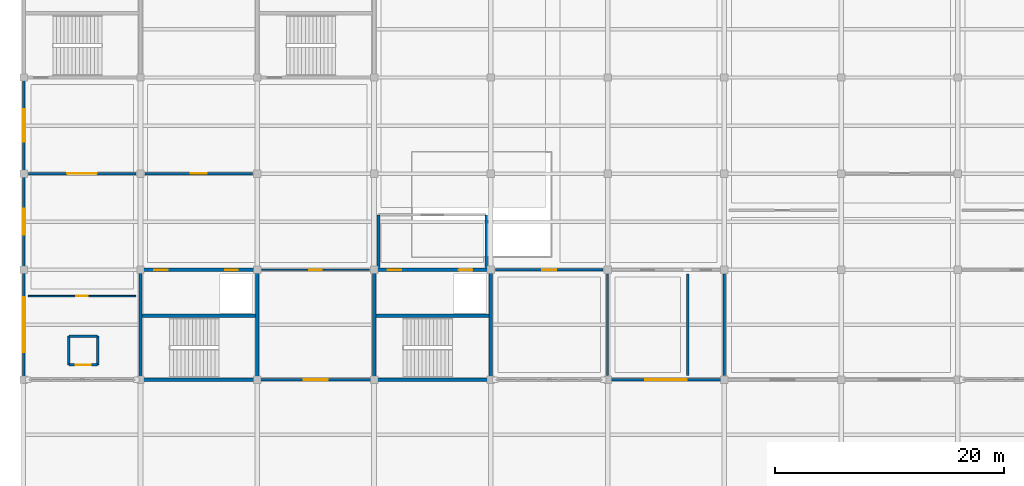
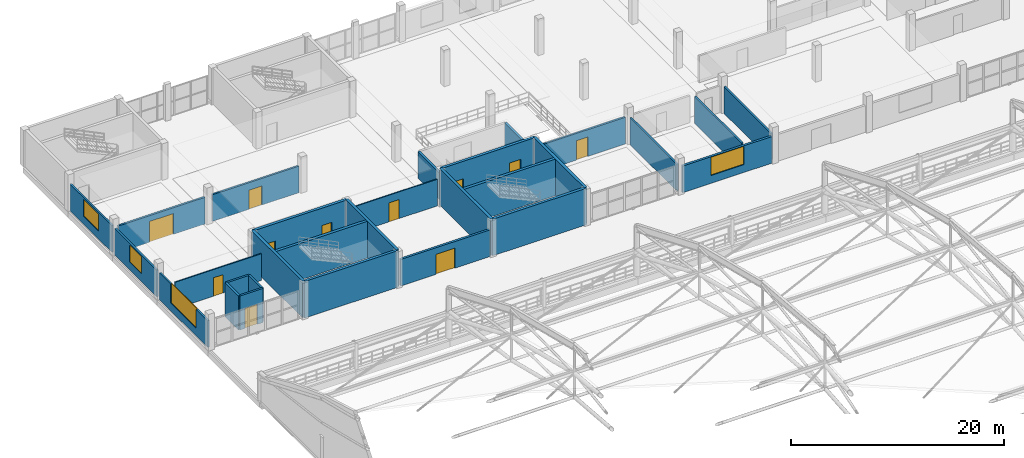
# One storey, part 122 of 135: 29 walls, 11 doors, 4 windows, 15 openings.
"""IFC4 building model written with IfcOpenShell, lengths in metres."""

from ifc_helpers import new_model, si_unit, direction, frame, frame_2d, origin, place, context, subcontext, project, spatial, rectangle, extrude, material, layer, layer_set, type_object, element, fill, save


model = new_model("IFC4")

# Units and contexts
model_context = context("Model", 3, precision=1e-05, world=origin(), true_north=direction((0.0, 1.0)))
body_context = subcontext(model_context, "Body", "Model", "MODEL_VIEW")
ifc_project = project(units=[si_unit("LENGTHUNIT", "METRE"), si_unit("AREAUNIT", "SQUARE_METRE"), si_unit("VOLUMEUNIT", "CUBIC_METRE"), si_unit("PLANEANGLEUNIT", "RADIAN"), si_unit("MASSUNIT", "GRAM", prefix="KILO")], contexts=[model_context])

# Site, building, storey
site_placement = place(None, origin())
site = spatial("IfcSite", under=ifc_project, at=site_placement, CompositionType="ELEMENT")
building_placement = place(site_placement, origin())
building = spatial("IfcBuilding", under=site, at=building_placement, Name="Brelvane Convention Centre", CompositionType="ELEMENT")
storey_placement = place(building_placement, frame((0.0, 0.0, 15.0)))
storey = spatial("IfcBuildingStorey", under=building, at=storey_placement, Name="L03", CompositionType="ELEMENT", Elevation=15.0)

# Wall, opening, door
ifc_material_1 = material(Name="Insulated Autoclaved Aerated Concrete Block Grade 1", Category="concrete")
ifc_layer_1 = layer(ifc_material_1, 0.239990234375)
ifc_layer_set_1 = layer_set([ifc_layer_1], Name="Insulated Autoclaved Aerated Concrete Block Grade 1")
wall_type_1 = type_object("IfcWallType", Name="Exterior Wall EW-03", PredefinedType="STANDARD", material=ifc_layer_set_1)
wall_1_placement = place(storey_placement, frame((20.639892578125, 109.199951171875, 0.0), z_axis=(0.0, 0.0, 1.0), x_axis=(1.0, 0.0, 0.0)))
wall_1 = element("IfcWall", 1, at=wall_1_placement, inside=storey, type_object=wall_type_1, Name="Exterior Wall L03 V4S-03", PredefinedType="STANDARD", context=body_context, shape_type="SweptSolid", body=[
    extrude(rectangle(XDim=9.72021484375, YDim=0.239990234375, at=frame_2d((4.860107421875, 0.0))), origin(), (0.0, 0.0, 1.0), 3.06005859375),
])
opening_1_placement = place(wall_1_placement, frame((3.81005859375, 0.0, 0.0)))
opening_1 = element("IfcOpeningElement", 2, at=opening_1_placement, cuts=wall_1, Name="Opening DR-TR-01", PredefinedType="OPENING", context=body_context, shape_type="SweptSolid", body=[
    extrude(rectangle(XDim=2.10009765625, YDim=2.300048828125, at=frame_2d((1.050048828125, 1.14990234375))), frame((0.0, 0.1298828125, 0.0), z_axis=(0.0, -1.0, 0.0), x_axis=(1.0, 0.0, 0.0)), (0.0, 0.0, 1.0), 0.260009765625),
])
ifc_material_2 = material(Name="Anodised Aluminium Alloy 6063-T6", Category="aluminium")
door_type_1 = type_object("IfcDoorType", Name="Exterior Door DR-TR-01", OperationType="NOTDEFINED", PredefinedType="DOOR", material=ifc_material_2)
door_1_placement = place(opening_1_placement, frame((2.10009765625, 0.0, 0.0), z_axis=(0.0, 0.0, 1.0), x_axis=(-1.0, 0.0, 0.0)))
door_1 = element("IfcDoor", 3, at=door_1_placement, inside=storey, type_object=door_type_1, Name="Terrace Exit Door RG-COURT-3 (DR-TR-01)", OperationType="DOUBLE_DOOR_SINGLE_SWING", OverallHeight=2.300048828125, OverallWidth=2.10009765625, PredefinedType="DOOR", context=body_context, shape_type="SweptSolid", body=[
    extrude(rectangle(XDim=2.10009765625, YDim=2.300048828125, at=frame_2d((1.050048828125, 1.14990234375))), frame((0.0, 0.02490234375, 0.0), z_axis=(0.0, -1.0, 0.0), x_axis=(1.0, 0.0, 0.0)), (0.0, 0.0, 1.0), 0.050048828125),
])
fill(opening_1, door_1)

# Wall, opening, window
wall_2_placement = place(storey_placement, frame((51.239990234375, 109.199951171875, 0.0), z_axis=(0.0, 0.0, 1.0), x_axis=(1.0, 0.0, 0.0)))
wall_2 = element("IfcWall", 4, at=wall_2_placement, inside=storey, type_object=wall_type_1, Name="Exterior Wall L03 V4S-06", PredefinedType="STANDARD", context=body_context, shape_type="SweptSolid", body=[
    extrude(rectangle(XDim=9.719970703125, YDim=0.239990234375, at=frame_2d((4.85986328125, 0.0))), origin(), (0.0, 0.0, 1.0), 3.06005859375),
])
opening_2_placement = place(wall_2_placement, frame((3.06005859375, 0.0, 0.89990234375)))
opening_2 = element("IfcOpeningElement", 5, at=opening_2_placement, cuts=wall_2, Name="Opening WN-03", PredefinedType="OPENING", context=body_context, shape_type="SweptSolid", body=[
    extrude(rectangle(XDim=3.60009765625, YDim=2.10009765625, at=frame_2d((1.800048828125, 1.050048828125))), frame((0.0, 0.1298828125, 0.0), z_axis=(0.0, -1.0, 0.0), x_axis=(1.0, 0.0, 0.0)), (0.0, 0.0, 1.0), 0.260009765625),
])
ifc_material_3 = material(Name="Double Glazed Low-E Laminated Unit")
window_type_1 = type_object("IfcWindowType", Name="Window WN-03", PartitioningType="TRIPLE_PANEL_VERTICAL", PredefinedType="WINDOW", material=ifc_material_3)
window_1_placement = place(opening_2_placement, origin())
window_1 = element("IfcWindow", 6, at=window_1_placement, inside=storey, type_object=window_type_1, Name="Facade Window L03-V4S-06-047", OverallHeight=2.10009765625, OverallWidth=3.60009765625, PartitioningType="TRIPLE_PANEL_VERTICAL", PredefinedType="WINDOW", context=body_context, shape_type="SweptSolid", body=[
    extrude(rectangle(XDim=3.60009765625, YDim=2.10009765625, at=frame_2d((1.800048828125, 1.050048828125))), frame((0.0, 0.030029296875, 0.0), z_axis=(0.0, -1.0, 0.0), x_axis=(1.0, 0.0, 0.0)), (0.0, 0.0, 1.0), 0.06005859375),
])
fill(opening_2, window_1)

ifc_material_4 = material(Name="Insulated Autoclaved Aerated Concrete Block Grade 1", Category="concrete")
ifc_layer_2 = layer(ifc_material_4, 0.18994140625)
ifc_layer_set_2 = layer_set([ifc_layer_2], Name="Insulated Autoclaved Aerated Concrete Block Grade 1")
wall_type_2 = type_object("IfcWallType", Name="Exterior Wall EW-06", PredefinedType="STANDARD", material=ifc_layer_set_2)
wall_3_placement = place(storey_placement, frame((0.0, 109.43994140625, 0.0), z_axis=(0.0, 0.0, 1.0), x_axis=(0.0, 1.0, 0.0)))
wall_3 = element("IfcWall", 7, at=wall_3_placement, inside=storey, type_object=wall_type_2, Name="Exterior Wall L03 V4W-L03-109", PredefinedType="STANDARD", context=body_context, shape_type="SweptSolid", body=[
    extrude(rectangle(XDim=9.1201171875, YDim=0.18994140625, at=frame_2d((4.56005859375, 0.0))), origin(), (0.0, 0.0, 1.0), 3.06005859375),
])
opening_3_placement = place(wall_3_placement, frame((2.159912109375, 0.0, 0.89990234375)))
opening_3 = element("IfcOpeningElement", 8, at=opening_3_placement, cuts=wall_3, Name="Opening WN-10", PredefinedType="OPENING", context=body_context, shape_type="SweptSolid", body=[
    extrude(rectangle(XDim=4.800048828125, YDim=2.25, at=frame_2d((2.39990234375, 1.125))), frame((0.0, 0.10498046875, 0.0), z_axis=(0.0, -1.0, 0.0), x_axis=(1.0, 0.0, 0.0)), (0.0, 0.0, 1.0), 0.2099609375),
])
ifc_material_5 = material(Name="Double Glazed Low-E Laminated Unit")
window_type_2 = type_object("IfcWindowType", Name="Window WN-10", PartitioningType="TRIPLE_PANEL_VERTICAL", PredefinedType="WINDOW", material=ifc_material_5)
window_2_placement = place(opening_3_placement, origin())
window_2 = element("IfcWindow", 9, at=window_2_placement, inside=storey, type_object=window_type_2, Name="Facade Window L03-V4W-L03-109-076", OverallHeight=2.25, OverallWidth=4.800048828125, PartitioningType="TRIPLE_PANEL_VERTICAL", PredefinedType="WINDOW", context=body_context, shape_type="SweptSolid", body=[
    extrude(rectangle(XDim=4.800048828125, YDim=2.25, at=frame_2d((2.39990234375, 1.125))), frame((0.0, 0.030029296875, 0.0), z_axis=(0.0, -1.0, 0.0), x_axis=(1.0, 0.0, 0.0)), (0.0, 0.0, 1.0), 0.06005859375),
])
fill(opening_3, window_2)

wall_4_placement = place(storey_placement, frame((0.0, 119.0400390625, 0.0), z_axis=(0.0, 0.0, 1.0), x_axis=(0.0, 1.0, 0.0)))
wall_4 = element("IfcWall", 10, at=wall_4_placement, inside=storey, type_object=wall_type_2, Name="Exterior Wall L03 V4W-L03-118", PredefinedType="STANDARD", context=body_context, shape_type="SweptSolid", body=[
    extrude(rectangle(XDim=7.919921875, YDim=0.18994140625, at=frame_2d((3.9599609375, 0.0))), origin(), (0.0, 0.0, 1.0), 3.06005859375),
])
opening_4_placement = place(wall_4_placement, frame((2.8349609375, 0.0, 0.89990234375)))
opening_4 = element("IfcOpeningElement", 11, at=opening_4_placement, cuts=wall_4, Name="Opening WN-11", PredefinedType="OPENING", context=body_context, shape_type="SweptSolid", body=[
    extrude(rectangle(XDim=2.25, YDim=1.949951171875, at=frame_2d((1.125, 0.97509765625))), frame((0.0, 0.10498046875, 0.0), z_axis=(0.0, -1.0, 0.0), x_axis=(1.0, 0.0, 0.0)), (0.0, 0.0, 1.0), 0.2099609375),
])
ifc_material_6 = material(Name="Double Glazed Low-E Laminated Unit")
window_type_3 = type_object("IfcWindowType", Name="Window WN-11", PartitioningType="DOUBLE_PANEL_VERTICAL", PredefinedType="WINDOW", material=ifc_material_6)
window_3_placement = place(opening_4_placement, origin())
window_3 = element("IfcWindow", 12, at=window_3_placement, inside=storey, type_object=window_type_3, Name="Facade Window L03-V4W-L03-118-077", OverallHeight=1.949951171875, OverallWidth=2.25, PartitioningType="DOUBLE_PANEL_VERTICAL", PredefinedType="WINDOW", context=body_context, shape_type="SweptSolid", body=[
    extrude(rectangle(XDim=2.25, YDim=1.949951171875, at=frame_2d((1.125, 0.97509765625))), frame((0.0, 0.030029296875, 0.0), z_axis=(0.0, -1.0, 0.0), x_axis=(1.0, 0.0, 0.0)), (0.0, 0.0, 1.0), 0.06005859375),
])
fill(opening_4, window_3)

wall_5_placement = place(storey_placement, frame((0.0, 127.43994140625, 0.0), z_axis=(0.0, 0.0, 1.0), x_axis=(0.0, 1.0, 0.0)))
wall_5 = element("IfcWall", 13, at=wall_5_placement, inside=storey, type_object=wall_type_2, Name="Exterior Wall L03 V4W-L03-127", PredefinedType="STANDARD", context=body_context, shape_type="SweptSolid", body=[
    extrude(rectangle(XDim=7.920166015625, YDim=0.18994140625, at=frame_2d((3.9599609375, 0.0))), origin(), (0.0, 0.0, 1.0), 3.06005859375),
])
opening_5_placement = place(wall_5_placement, frame((2.534912109375, 0.0, 0.89990234375)))
opening_5 = element("IfcOpeningElement", 14, at=opening_5_placement, cuts=wall_5, Name="Opening WN-12", PredefinedType="OPENING", context=body_context, shape_type="SweptSolid", body=[
    extrude(rectangle(XDim=2.85009765625, YDim=1.949951171875, at=frame_2d((1.425048828125, 0.97509765625))), frame((0.0, 0.10498046875, 0.0), z_axis=(0.0, -1.0, 0.0), x_axis=(1.0, 0.0, 0.0)), (0.0, 0.0, 1.0), 0.2099609375),
])
ifc_material_7 = material(Name="Double Glazed Low-E Laminated Unit")
window_type_4 = type_object("IfcWindowType", Name="Window WN-12", PartitioningType="TRIPLE_PANEL_VERTICAL", PredefinedType="WINDOW", material=ifc_material_7)
window_4_placement = place(opening_5_placement, origin())
window_4 = element("IfcWindow", 15, at=window_4_placement, inside=storey, type_object=window_type_4, Name="Facade Window L03-V4W-L03-127-078", OverallHeight=1.949951171875, OverallWidth=2.85009765625, PartitioningType="TRIPLE_PANEL_VERTICAL", PredefinedType="WINDOW", context=body_context, shape_type="SweptSolid", body=[
    extrude(rectangle(XDim=2.85009765625, YDim=1.949951171875, at=frame_2d((1.425048828125, 0.97509765625))), frame((0.0, 0.030029296875, 0.0), z_axis=(0.0, -1.0, 0.0), x_axis=(1.0, 0.0, 0.0)), (0.0, 0.0, 1.0), 0.06005859375),
])
fill(opening_5, window_4)

# Wall, opening, door
ifc_material_8 = material(Name="Fire-Rated Acoustic Gypsum Partition Board Grade A")
ifc_layer_3 = layer(ifc_material_8, 0.199951171875)
ifc_layer_set_3 = layer_set([ifc_layer_3], Name="Fire-Rated Acoustic Gypsum Partition Board Grade A")
wall_type_3 = type_object("IfcWallType", Name="Interior Wall IW-FR-200", PredefinedType="PARTITIONING", material=ifc_layer_set_3)
wall_6_placement = place(storey_placement, frame((41.199951171875, 118.800048828125, 0.0), z_axis=(0.0, 0.0, 1.0), x_axis=(1.0, 0.0, 0.0)))
wall_6 = element("IfcWall", 16, at=wall_6_placement, inside=storey, type_object=wall_type_3, Name="Interior Partition L03-WCM3", PredefinedType="PARTITIONING", context=body_context, shape_type="SweptSolid", body=[
    extrude(rectangle(XDim=9.400146484375, YDim=0.199951171875, at=frame_2d((4.7001953125, 0.0))), origin(), (0.0, 0.0, 1.0), 3.06005859375),
])
opening_6_placement = place(wall_6_placement, frame((4.090087890625, 0.0, 0.0)))
opening_6 = element("IfcOpeningElement", 17, at=opening_6_placement, cuts=wall_6, Name="Opening DR-IN-14R", PredefinedType="OPENING", context=body_context, shape_type="SweptSolid", body=[
    extrude(rectangle(XDim=1.219970703125, YDim=2.219970703125, at=frame_2d((0.60986328125, 1.10986328125))), frame((0.0, 0.10986328125, 0.0), z_axis=(0.0, -1.0, 0.0), x_axis=(1.0, 0.0, 0.0)), (0.0, 0.0, 1.0), 0.219970703125),
])
ifc_material_9 = material(Name="Galvanised Hollow-Metal Fire Door Steel E250", Category="steel")
door_type_2 = type_object("IfcDoorType", Name="Interior Door DR-IN-14R", OperationType="NOTDEFINED", PredefinedType="DOOR", material=ifc_material_9)
door_2_placement = place(opening_6_placement, origin())
door_2 = element("IfcDoor", 18, at=door_2_placement, inside=storey, type_object=door_type_2, Name="Interior Door L03-WCM3 (DR-IN-14R)", OperationType="SINGLE_SWING_RIGHT", OverallHeight=2.219970703125, OverallWidth=1.219970703125, PredefinedType="DOOR", context=body_context, shape_type="SweptSolid", body=[
    extrude(rectangle(XDim=1.219970703125, YDim=2.219970703125, at=frame_2d((0.60986328125, 1.10986328125))), frame((0.0, 0.02490234375, 0.0), z_axis=(0.0, -1.0, 0.0), x_axis=(1.0, 0.0, 0.0)), (0.0, 0.0, 1.0), 0.050048828125),
])
fill(opening_6, door_2)

# Walls
for number, where, z_axis, x_axis, name in (
    (19, (51.0, 109.580078125, 0.0), (0.0, 0.0, 1.0), (0.0, 1.0, 0.0), "Interior Partition L03-WCDIV-L3A"),
    (20, (58.0, 109.580078125, 0.0), (0.0, 0.0, 1.0), (0.0, 1.0, 0.0), "Interior Partition L03-WCDIV-L3B"),
    (21, (61.199951171875, 109.580078125, 0.0), (0.0, 0.0, 1.0), (0.0, 1.0, 0.0), "Interior Partition L03-WCDIV-L3C"),
):
    element("IfcWall", number, at=place(storey_placement, frame(where, z_axis=z_axis, x_axis=x_axis)), inside=storey, type_object=wall_type_3, Name=name, PredefinedType="PARTITIONING", context=body_context, shape_type="SweptSolid", body=[
        extrude(rectangle(XDim=8.83984375, YDim=0.199951171875, at=frame_2d((4.419921875, 0.0))), origin(), (0.0, 0.0, 1.0), 3.06005859375),
    ])

# Wall, opening, door
ifc_material_10 = material(Name="Concrete M40", Category="concrete")
ifc_layer_4 = layer(ifc_material_10, 0.219970703125)
ifc_layer_set_4 = layer_set([ifc_layer_4], Name="Concrete M40")
wall_type_4 = type_object("IfcWallType", Name="Interior Wall IW-FR-220", PredefinedType="PARTITIONING", material=ifc_layer_set_4)
wall_7_placement = place(storey_placement, frame((3.949951171875, 110.5, 0.0), z_axis=(0.0, 0.0, 1.0), x_axis=(1.0, 0.0, 0.0)))
wall_7 = element("IfcWall", 22, at=wall_7_placement, inside=storey, type_object=wall_type_4, Name="Lift LP-06 Shaft Wall S (L03)", PredefinedType="PARTITIONING", context=body_context, shape_type="SweptSolid", body=[
    extrude(rectangle(XDim=2.5, YDim=0.219970703125, at=frame_2d((1.25, 0.0))), origin(), (0.0, 0.0, 1.0), 3.909912109375),
])
opening_7_placement = place(wall_7_placement, frame((0.574951171875, 0.0, 0.0)))
opening_7 = element("IfcOpeningElement", 23, at=opening_7_placement, cuts=wall_7, Name="Opening LD-03", PredefinedType="OPENING", context=body_context, shape_type="SweptSolid", body=[
    extrude(rectangle(XDim=1.35009765625, YDim=2.300048828125, at=frame_2d((0.675048828125, 1.14990234375))), frame((0.0, 0.119873046875, 0.0), z_axis=(0.0, -1.0, 0.0), x_axis=(1.0, 0.0, 0.0)), (0.0, 0.0, 1.0), 0.239990234375),
])
ifc_material_11 = material(Name="Galvanised Hollow-Metal Fire Door Steel E250", Category="steel")
door_type_3 = type_object("IfcDoorType", Name="Interior Door LD-03", OperationType="NOTDEFINED", PredefinedType="DOOR", material=ifc_material_11)
door_3_placement = place(opening_7_placement, origin())
door_3 = element("IfcDoor", 24, at=door_3_placement, inside=storey, type_object=door_type_3, Name="Lift LP-06 Landing Door (L03)", OperationType="DOUBLE_DOOR_SLIDING", OverallHeight=2.300048828125, OverallWidth=1.35009765625, PredefinedType="DOOR", context=body_context, shape_type="SweptSolid", body=[
    extrude(rectangle(XDim=1.35009765625, YDim=2.300048828125, at=frame_2d((0.675048828125, 1.14990234375))), frame((0.0, 0.02490234375, 0.0), z_axis=(0.0, -1.0, 0.0), x_axis=(1.0, 0.0, 0.0)), (0.0, 0.0, 1.0), 0.050048828125),
])
fill(opening_7, door_3)

# Walls
for number, where, z_axis, x_axis, name in (
    (25, (3.949951171875, 113.0, 0.0), (0.0, 0.0, 1.0), (1.0, 0.0, 0.0), "Lift LP-06 Shaft Wall N (L03)"),
    (26, (3.949951171875, 110.5, 0.0), (0.0, 0.0, 1.0), (0.0, 1.0, 0.0), "Lift LP-06 Shaft Wall W (L03)"),
    (27, (6.449951171875, 110.5, 0.0), (0.0, 0.0, 1.0), (0.0, 1.0, 0.0), "Lift LP-06 Shaft Wall E (L03)"),
):
    element("IfcWall", number, at=place(storey_placement, frame(where, z_axis=z_axis, x_axis=x_axis)), inside=storey, type_object=wall_type_4, Name=name, PredefinedType="PARTITIONING", context=body_context, shape_type="SweptSolid", body=[
        extrude(rectangle(XDim=2.5, YDim=0.219970703125, at=frame_2d((1.25, 0.0))), origin(), (0.0, 0.0, 1.0), 3.909912109375),
    ])
ifc_material_12 = material(Name="Concrete M40", Category="concrete")
ifc_layer_5 = layer(ifc_material_12, 0.239990234375)
ifc_layer_set_5 = layer_set([ifc_layer_5], Name="Concrete M40")
wall_type_5 = type_object("IfcWallType", Name="Interior Wall IW-FR-240", PredefinedType="PARTITIONING", material=ifc_layer_set_5)
for number, where, z_axis, x_axis, name in (
    (28, (40.39990234375, 119.0, 0.0), (0.0, 0.0, 1.0), (0.0, 1.0, 0.0), "Firefighting Lobby C7 Wall E (L03)"),
    (29, (31.0, 119.0, 0.0), (0.0, 0.0, 1.0), (0.0, 1.0, 0.0), "Firefighting Lobby C7 Wall W (L03)"),
):
    element("IfcWall", number, at=place(storey_placement, frame(where, z_axis=z_axis, x_axis=x_axis)), inside=storey, type_object=wall_type_5, Name=name, PredefinedType="PARTITIONING", context=body_context, shape_type="SweptSolid", body=[
        extrude(rectangle(XDim=4.60009765625, YDim=0.239990234375, at=frame_2d((2.300048828125, 0.0))), origin(), (0.0, 0.0, 1.0), 3.06005859375),
    ])

# Wall, opening, door
ifc_material_13 = material(Name="Acoustic Operable Gypsum Composite Panel Board Class A")
ifc_layer_6 = layer(ifc_material_13, 0.195068359375)
ifc_layer_set_6 = layer_set([ifc_layer_6], Name="Acoustic Operable Gypsum Composite Panel Board Class A")
wall_type_6 = type_object("IfcWallType", Name="Interior Wall IW-OP-195", PredefinedType="MOVABLE", material=ifc_layer_set_6)
wall_8_placement = place(storey_placement, frame((10.60009765625, 127.199951171875, 0.0), z_axis=(0.0, 0.0, 1.0), x_axis=(1.0, 0.0, 0.0)))
wall_8 = element("IfcWall", 30, at=wall_8_placement, inside=storey, type_object=wall_type_6, Name="Operable Wall L03-WRK-OP2", PredefinedType="MOVABLE", context=body_context, shape_type="SweptSolid", body=[
    extrude(rectangle(XDim=9.39990234375, YDim=0.195068359375, at=frame_2d((4.699951171875, 0.0))), origin(), (0.0, 0.0, 1.0), 3.06005859375),
])
opening_8_placement = place(wall_8_placement, frame((4.0, 0.0, 0.0)))
opening_8 = element("IfcOpeningElement", 31, at=opening_8_placement, cuts=wall_8, Name="Opening DR-IN-10", PredefinedType="OPENING", context=body_context, shape_type="SweptSolid", body=[
    extrude(rectangle(XDim=1.39990234375, YDim=2.199951171875, at=frame_2d((0.699951171875, 1.10009765625))), frame((0.0, 0.107421875, 0.0), z_axis=(0.0, -1.0, 0.0), x_axis=(1.0, 0.0, 0.0)), (0.0, 0.0, 1.0), 0.215087890625),
])
ifc_material_14 = material(Name="Galvanised Hollow-Metal Fire Door Steel E250", Category="steel")
door_type_4 = type_object("IfcDoorType", Name="Interior Door DR-IN-10", OperationType="NOTDEFINED", PredefinedType="DOOR", material=ifc_material_14)
door_4_placement = place(opening_8_placement, origin())
door_4 = element("IfcDoor", 32, at=door_4_placement, inside=storey, type_object=door_type_4, Name="Interior Door L03-WRK-OP2 (DR-IN-10)", OperationType="DOUBLE_DOOR_SINGLE_SWING", OverallHeight=2.199951171875, OverallWidth=1.39990234375, PredefinedType="DOOR", context=body_context, shape_type="SweptSolid", body=[
    extrude(rectangle(XDim=1.39990234375, YDim=2.199951171875, at=frame_2d((0.699951171875, 1.10009765625))), frame((0.0, 0.02490234375, 0.0), z_axis=(0.0, -1.0, 0.0), x_axis=(1.0, 0.0, 0.0)), (0.0, 0.0, 1.0), 0.050048828125),
])
fill(opening_8, door_4)

ifc_material_15 = material(Name="Acoustic Operable Gypsum Composite Panel Board Class A")
ifc_layer_7 = layer(ifc_material_15, 0.2099609375)
ifc_layer_set_7 = layer_set([ifc_layer_7], Name="Acoustic Operable Gypsum Composite Panel Board Class A")
wall_type_7 = type_object("IfcWallType", Name="Interior Wall IW-OP-210", PredefinedType="MOVABLE", material=ifc_layer_set_7)
wall_9_placement = place(storey_placement, frame((0.39990234375, 127.199951171875, 0.0), z_axis=(0.0, 0.0, 1.0), x_axis=(1.0, 0.0, 0.0)))
wall_9 = element("IfcWall", 33, at=wall_9_placement, inside=storey, type_object=wall_type_7, Name="Operable Wall L03-WRK-OP1", PredefinedType="MOVABLE", context=body_context, shape_type="SweptSolid", body=[
    extrude(rectangle(XDim=9.400146484375, YDim=0.2099609375, at=frame_2d((4.7001953125, 0.0))), origin(), (0.0, 0.0, 1.0), 3.06005859375),
])
opening_9_placement = place(wall_9_placement, frame((3.39990234375, 0.0, 0.0)))
opening_9 = element("IfcOpeningElement", 34, at=opening_9_placement, cuts=wall_9, Name="Opening DR-IN-09", PredefinedType="OPENING", context=body_context, shape_type="SweptSolid", body=[
    extrude(rectangle(XDim=2.60009765625, YDim=2.39990234375, at=frame_2d((1.300048828125, 1.199951171875))), frame((0.0, 0.114990234375, 0.0), z_axis=(0.0, -1.0, 0.0), x_axis=(1.0, 0.0, 0.0)), (0.0, 0.0, 1.0), 0.22998046875),
])
ifc_material_16 = material(Name="Galvanised Hollow-Metal Fire Door Steel E250", Category="steel")
door_type_5 = type_object("IfcDoorType", Name="Interior Door DR-IN-09", OperationType="NOTDEFINED", PredefinedType="DOOR", material=ifc_material_16)
door_5_placement = place(opening_9_placement, origin())
door_5 = element("IfcDoor", 35, at=door_5_placement, inside=storey, type_object=door_type_5, Name="Interior Door L03-WRK-OP1 (DR-IN-09)", OperationType="DOUBLE_DOOR_SINGLE_SWING", OverallHeight=2.39990234375, OverallWidth=2.60009765625, PredefinedType="DOOR", context=body_context, shape_type="SweptSolid", body=[
    extrude(rectangle(XDim=2.60009765625, YDim=2.39990234375, at=frame_2d((1.300048828125, 1.199951171875))), frame((0.0, 0.02490234375, 0.0), z_axis=(0.0, -1.0, 0.0), x_axis=(1.0, 0.0, 0.0)), (0.0, 0.0, 1.0), 0.050048828125),
])
fill(opening_9, door_5)

ifc_material_17 = material(Name="Fire-Rated Acoustic Gypsum Partition Board Grade A")
ifc_layer_8 = layer(ifc_material_17, 0.114990234375)
ifc_layer_set_8 = layer_set([ifc_layer_8], Name="Fire-Rated Acoustic Gypsum Partition Board Grade A")
wall_type_8 = type_object("IfcWallType", Name="Interior Wall IW-PT-115", PredefinedType="PARTITIONING", material=ifc_layer_set_8)
wall_10_placement = place(storey_placement, frame((20.800048828125, 118.800048828125, 0.0), z_axis=(0.0, 0.0, 1.0), x_axis=(1.0, 0.0, 0.0)))
wall_10 = element("IfcWall", 36, at=wall_10_placement, inside=storey, type_object=wall_type_8, Name="Interior Partition L03-EXBD", PredefinedType="PARTITIONING", context=body_context, shape_type="SweptSolid", body=[
    extrude(rectangle(XDim=9.39990234375, YDim=0.114990234375, at=frame_2d((4.699951171875, 0.0))), origin(), (0.0, 0.0, 1.0), 3.06005859375),
])
opening_10_placement = place(wall_10_placement, frame((4.159912109375, 0.0, 0.0)))
opening_10 = element("IfcOpeningElement", 37, at=opening_10_placement, cuts=wall_10, Name="Opening DR-IN-13L", PredefinedType="OPENING", context=body_context, shape_type="SweptSolid", body=[
    extrude(rectangle(XDim=1.080078125, YDim=2.179931640625, at=frame_2d((0.5400390625, 1.08984375))), frame((0.0, 0.0673828125, 0.0), z_axis=(0.0, -1.0, 0.0), x_axis=(1.0, 0.0, 0.0)), (0.0, 0.0, 1.0), 0.135009765625),
])
ifc_material_18 = material(Name="Solid-Core Fire-Rated Hardwood Leaf Grade 1", Category="wood")
door_type_6 = type_object("IfcDoorType", Name="Interior Door DR-IN-13L", OperationType="NOTDEFINED", PredefinedType="DOOR", material=ifc_material_18)
door_6_placement = place(opening_10_placement, origin())
door_6 = element("IfcDoor", 38, at=door_6_placement, inside=storey, type_object=door_type_6, Name="Interior Door L03-EXBD (DR-IN-13L)", OperationType="SINGLE_SWING_LEFT", OverallHeight=2.179931640625, OverallWidth=1.080078125, PredefinedType="DOOR", context=body_context, shape_type="SweptSolid", body=[
    extrude(rectangle(XDim=1.080078125, YDim=2.179931640625, at=frame_2d((0.5400390625, 1.08984375))), frame((0.0, 0.02490234375, 0.0), z_axis=(0.0, -1.0, 0.0), x_axis=(1.0, 0.0, 0.0)), (0.0, 0.0, 1.0), 0.050048828125),
])
fill(opening_10, door_6)

ifc_material_19 = material(Name="Fire-Rated Acoustic Gypsum Partition Board Grade A")
ifc_layer_9 = layer(ifc_material_19, 0.125)
ifc_layer_set_9 = layer_set([ifc_layer_9], Name="Fire-Rated Acoustic Gypsum Partition Board Grade A")
wall_type_9 = type_object("IfcWallType", Name="Interior Wall IW-PT-125", PredefinedType="PARTITIONING", material=ifc_layer_set_9)
wall_11_placement = place(storey_placement, frame((0.39990234375, 116.5, 0.0), z_axis=(0.0, 0.0, 1.0), x_axis=(1.0, 0.0, 0.0)))
wall_11 = element("IfcWall", 39, at=wall_11_placement, inside=storey, type_object=wall_type_9, Name="Interior Partition L03-WRK4", PredefinedType="PARTITIONING", context=body_context, shape_type="SweptSolid", body=[
    extrude(rectangle(XDim=9.400146484375, YDim=0.125, at=frame_2d((4.7001953125, 0.0))), origin(), (0.0, 0.0, 1.0), 3.06005859375),
])
opening_11_placement = place(wall_11_placement, frame((4.18994140625, 0.0, 0.0)))
opening_11 = element("IfcOpeningElement", 40, at=opening_11_placement, cuts=wall_11, Name="Opening DR-IN-12R", PredefinedType="OPENING", context=body_context, shape_type="SweptSolid", body=[
    extrude(rectangle(XDim=1.02001953125, YDim=2.1201171875, at=frame_2d((0.510009765625, 1.06005859375))), frame((0.0, 0.072509765625, 0.0), z_axis=(0.0, -1.0, 0.0), x_axis=(1.0, 0.0, 0.0)), (0.0, 0.0, 1.0), 0.14501953125),
])
ifc_material_20 = material(Name="Solid-Core Fire-Rated Hardwood Leaf Grade 1", Category="wood")
door_type_7 = type_object("IfcDoorType", Name="Interior Door DR-IN-12R", OperationType="NOTDEFINED", PredefinedType="DOOR", material=ifc_material_20)
door_7_placement = place(opening_11_placement, origin())
door_7 = element("IfcDoor", 41, at=door_7_placement, inside=storey, type_object=door_type_7, Name="Interior Door L03-WRK4 (DR-IN-12R)", OperationType="SINGLE_SWING_RIGHT", OverallHeight=2.1201171875, OverallWidth=1.02001953125, PredefinedType="DOOR", context=body_context, shape_type="SweptSolid", body=[
    extrude(rectangle(XDim=1.02001953125, YDim=2.1201171875, at=frame_2d((0.510009765625, 1.06005859375))), frame((0.0, 0.02490234375, 0.0), z_axis=(0.0, -1.0, 0.0), x_axis=(1.0, 0.0, 0.0)), (0.0, 0.0, 1.0), 0.050048828125),
])
fill(opening_11, door_7)

# Wall
ifc_material_21 = material(Name="Concrete M50", Category="concrete")
ifc_layer_10 = layer(ifc_material_21, 0.300048828125)
ifc_layer_set_10 = layer_set([ifc_layer_10], Name="Concrete M50")
wall_type_10 = type_object("IfcWallType", Name="Structural Wall WL-CORE-300", PredefinedType="SHEAR", material=ifc_layer_set_10)
wall_12_placement = place(storey_placement, frame((10.199951171875, 109.199951171875, 0.0), z_axis=(0.0, 0.0, 1.0), x_axis=(1.0, 0.0, 0.0)))
element("IfcWall", 42, at=wall_12_placement, inside=storey, type_object=wall_type_10, Name="Core C6 Shear Wall S (L03)", PredefinedType="SHEAR", context=body_context, shape_type="SweptSolid", body=[
    extrude(rectangle(XDim=10.199951171875, YDim=0.300048828125, at=frame_2d((5.10009765625, 0.0))), origin(), (0.0, 0.0, 1.0), 4.199951171875),
])

# Wall, openings, doors
wall_13_placement = place(storey_placement, frame((10.199951171875, 118.800048828125, 0.0), z_axis=(0.0, 0.0, 1.0), x_axis=(1.0, 0.0, 0.0)))
wall_13 = element("IfcWall", 43, at=wall_13_placement, inside=storey, type_object=wall_type_10, Name="Core C6 Shear Wall N (L03)", PredefinedType="SHEAR", context=body_context, shape_type="SweptSolid", body=[
    extrude(rectangle(XDim=10.199951171875, YDim=0.300048828125, at=frame_2d((5.10009765625, 0.0))), origin(), (0.0, 0.0, 1.0), 4.199951171875),
])
opening_12_placement = place(wall_13_placement, frame((1.199951171875, 0.0, 0.0)))
opening_12 = element("IfcOpeningElement", 44, at=opening_12_placement, cuts=wall_13, Name="Opening DR-IN-04L", PredefinedType="OPENING", context=body_context, shape_type="SweptSolid", body=[
    extrude(rectangle(XDim=1.159912109375, YDim=2.199951171875, at=frame_2d((0.580078125, 1.10009765625))), frame((0.0, 0.159912109375, 0.0), z_axis=(0.0, -1.0, 0.0), x_axis=(1.0, 0.0, 0.0)), (0.0, 0.0, 1.0), 0.320068359375),
])
opening_13_placement = place(wall_13_placement, frame((7.39990234375, 0.0, 0.0)))
opening_13 = element("IfcOpeningElement", 45, at=opening_13_placement, cuts=wall_13, Name="Opening LD-02", PredefinedType="OPENING", context=body_context, shape_type="SweptSolid", body=[
    extrude(rectangle(XDim=1.10009765625, YDim=2.199951171875, at=frame_2d((0.550048828125, 1.10009765625))), frame((0.0, 0.159912109375, 0.0), z_axis=(0.0, -1.0, 0.0), x_axis=(1.0, 0.0, 0.0)), (0.0, 0.0, 1.0), 0.320068359375),
])
ifc_material_22 = material(Name="Galvanised Hollow-Metal Fire Door Steel E250", Category="steel")
door_type_8 = type_object("IfcDoorType", Name="Interior Door DR-IN-04L", OperationType="NOTDEFINED", PredefinedType="DOOR", material=ifc_material_22)
door_8_placement = place(opening_12_placement, origin())
door_8 = element("IfcDoor", 46, at=door_8_placement, inside=storey, type_object=door_type_8, Name="Stair ST-06 Door (L03)", OperationType="SINGLE_SWING_LEFT", OverallHeight=2.199951171875, OverallWidth=1.159912109375, PredefinedType="DOOR", context=body_context, shape_type="SweptSolid", body=[
    extrude(rectangle(XDim=1.159912109375, YDim=2.199951171875, at=frame_2d((0.580078125, 1.10009765625))), frame((0.0, 0.02490234375, 0.0), z_axis=(0.0, -1.0, 0.0), x_axis=(1.0, 0.0, 0.0)), (0.0, 0.0, 1.0), 0.050048828125),
])
fill(opening_12, door_8)
ifc_material_23 = material(Name="Galvanised Hollow-Metal Fire Door Steel E250", Category="steel")
door_type_9 = type_object("IfcDoorType", Name="Interior Door LD-02", OperationType="NOTDEFINED", PredefinedType="DOOR", material=ifc_material_23)
door_9_placement = place(opening_13_placement, origin())
door_9 = element("IfcDoor", 47, at=door_9_placement, inside=storey, type_object=door_type_9, Name="Lift LP-03 Landing Door (L03)", OperationType="SLIDING_TO_RIGHT", OverallHeight=2.199951171875, OverallWidth=1.10009765625, PredefinedType="DOOR", context=body_context, shape_type="SweptSolid", body=[
    extrude(rectangle(XDim=1.10009765625, YDim=2.199951171875, at=frame_2d((0.550048828125, 1.10009765625))), frame((0.0, 0.02490234375, 0.0), z_axis=(0.0, -1.0, 0.0), x_axis=(1.0, 0.0, 0.0)), (0.0, 0.0, 1.0), 0.050048828125),
])
fill(opening_13, door_9)

# Walls
for number, where, z_axis, x_axis, name in (
    (48, (10.199951171875, 109.199951171875, 0.0), (0.0, 0.0, 1.0), (0.0, 1.0, 0.0), "Core C6 Shear Wall W (L03)"),
    (49, (20.39990234375, 109.199951171875, 0.0), (0.0, 0.0, 1.0), (0.0, 1.0, 0.0), "Core C6 Shear Wall E (L03)"),
):
    element("IfcWall", number, at=place(storey_placement, frame(where, z_axis=z_axis, x_axis=x_axis)), inside=storey, type_object=wall_type_10, Name=name, PredefinedType="SHEAR", context=body_context, shape_type="SweptSolid", body=[
        extrude(rectangle(XDim=9.60009765625, YDim=0.300048828125, at=frame_2d((4.800048828125, 0.0))), origin(), (0.0, 0.0, 1.0), 4.199951171875),
    ])
wall_14_placement = place(storey_placement, frame((30.60009765625, 109.199951171875, 0.0), z_axis=(0.0, 0.0, 1.0), x_axis=(1.0, 0.0, 0.0)))
element("IfcWall", 50, at=wall_14_placement, inside=storey, type_object=wall_type_10, Name="Core C7 Shear Wall S (L03)", PredefinedType="SHEAR", context=body_context, shape_type="SweptSolid", body=[
    extrude(rectangle(XDim=10.199951171875, YDim=0.300048828125, at=frame_2d((5.10009765625, 0.0))), origin(), (0.0, 0.0, 1.0), 4.199951171875),
])

# Wall, openings, doors
wall_15_placement = place(storey_placement, frame((30.60009765625, 118.800048828125, 0.0), z_axis=(0.0, 0.0, 1.0), x_axis=(1.0, 0.0, 0.0)))
wall_15 = element("IfcWall", 51, at=wall_15_placement, inside=storey, type_object=wall_type_10, Name="Core C7 Shear Wall N (L03)", PredefinedType="SHEAR", context=body_context, shape_type="SweptSolid", body=[
    extrude(rectangle(XDim=10.199951171875, YDim=0.300048828125, at=frame_2d((5.10009765625, 0.0))), origin(), (0.0, 0.0, 1.0), 4.199951171875),
])
opening_14_placement = place(wall_15_placement, frame((1.199951171875, 0.0, 0.0)))
opening_14 = element("IfcOpeningElement", 52, at=opening_14_placement, cuts=wall_15, Name="Opening DR-IN-04L", PredefinedType="OPENING", context=body_context, shape_type="SweptSolid", body=[
    extrude(rectangle(XDim=1.159912109375, YDim=2.199951171875, at=frame_2d((0.580078125, 1.10009765625))), frame((0.0, 0.159912109375, 0.0), z_axis=(0.0, -1.0, 0.0), x_axis=(1.0, 0.0, 0.0)), (0.0, 0.0, 1.0), 0.320068359375),
])
opening_15_placement = place(wall_15_placement, frame((7.39990234375, 0.0, 0.0)))
opening_15 = element("IfcOpeningElement", 53, at=opening_15_placement, cuts=wall_15, Name="Opening LD-01", PredefinedType="OPENING", context=body_context, shape_type="SweptSolid", body=[
    extrude(rectangle(XDim=1.199951171875, YDim=2.25, at=frame_2d((0.60009765625, 1.125))), frame((0.0, 0.159912109375, 0.0), z_axis=(0.0, -1.0, 0.0), x_axis=(1.0, 0.0, 0.0)), (0.0, 0.0, 1.0), 0.320068359375),
])
door_10_placement = place(opening_14_placement, origin())
door_10 = element("IfcDoor", 54, at=door_10_placement, inside=storey, type_object=door_type_8, Name="Stair ST-07 Door (L03)", OperationType="SINGLE_SWING_LEFT", OverallHeight=2.199951171875, OverallWidth=1.159912109375, PredefinedType="DOOR", context=body_context, shape_type="SweptSolid", body=[
    extrude(rectangle(XDim=1.159912109375, YDim=2.199951171875, at=frame_2d((0.580078125, 1.10009765625))), frame((0.0, 0.02490234375, 0.0), z_axis=(0.0, -1.0, 0.0), x_axis=(1.0, 0.0, 0.0)), (0.0, 0.0, 1.0), 0.050048828125),
])
fill(opening_14, door_10)
ifc_material_24 = material(Name="Galvanised Hollow-Metal Fire Door Steel E250", Category="steel")
door_type_10 = type_object("IfcDoorType", Name="Interior Door LD-01", OperationType="NOTDEFINED", PredefinedType="DOOR", material=ifc_material_24)
door_11_placement = place(opening_15_placement, origin())
door_11 = element("IfcDoor", 55, at=door_11_placement, inside=storey, type_object=door_type_10, Name="Lift LF-04 Landing Door (L03)", OperationType="SLIDING_TO_LEFT", OverallHeight=2.25, OverallWidth=1.199951171875, PredefinedType="DOOR", context=body_context, shape_type="SweptSolid", body=[
    extrude(rectangle(XDim=1.199951171875, YDim=2.25, at=frame_2d((0.60009765625, 1.125))), frame((0.0, 0.02490234375, 0.0), z_axis=(0.0, -1.0, 0.0), x_axis=(1.0, 0.0, 0.0)), (0.0, 0.0, 1.0), 0.050048828125),
])
fill(opening_15, door_11)

# Walls
for number, where, z_axis, x_axis, name in (
    (56, (30.60009765625, 109.199951171875, 0.0), (0.0, 0.0, 1.0), (0.0, 1.0, 0.0), "Core C7 Shear Wall W (L03)"),
    (57, (40.800048828125, 109.199951171875, 0.0), (0.0, 0.0, 1.0), (0.0, 1.0, 0.0), "Core C7 Shear Wall E (L03)"),
):
    element("IfcWall", number, at=place(storey_placement, frame(where, z_axis=z_axis, x_axis=x_axis)), inside=storey, type_object=wall_type_10, Name=name, PredefinedType="SHEAR", context=body_context, shape_type="SweptSolid", body=[
        extrude(rectangle(XDim=9.60009765625, YDim=0.300048828125, at=frame_2d((4.800048828125, 0.0))), origin(), (0.0, 0.0, 1.0), 4.199951171875),
    ])
for number, where, z_axis, x_axis, name in (
    (58, (10.35009765625, 114.800048828125, 0.0), (0.0, 0.0, 1.0), (1.0, 0.0, 0.0), "Core C6 Shaft Divider Wall (L03)"),
    (59, (30.75, 114.800048828125, 0.0), (0.0, 0.0, 1.0), (1.0, 0.0, 0.0), "Core C7 Shaft Divider Wall (L03)"),
):
    element("IfcWall", number, at=place(storey_placement, frame(where, z_axis=z_axis, x_axis=x_axis)), inside=storey, type_object=wall_type_10, Name=name, PredefinedType="SHEAR", context=body_context, shape_type="SweptSolid", body=[
        extrude(rectangle(XDim=9.89990234375, YDim=0.300048828125, at=frame_2d((4.949951171875, 0.0))), origin(), (0.0, 0.0, 1.0), 4.199951171875),
    ])

save(model, "model.ifc")
